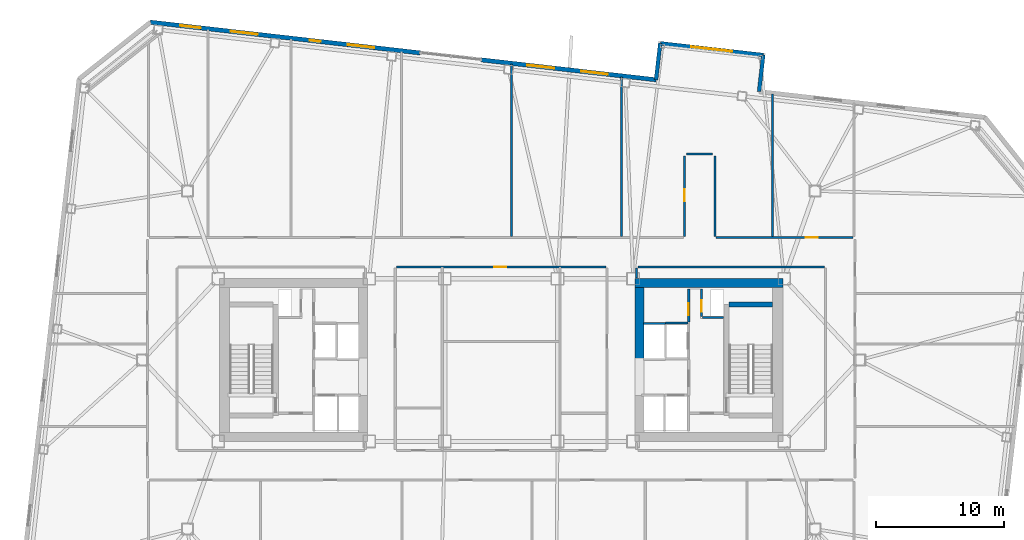
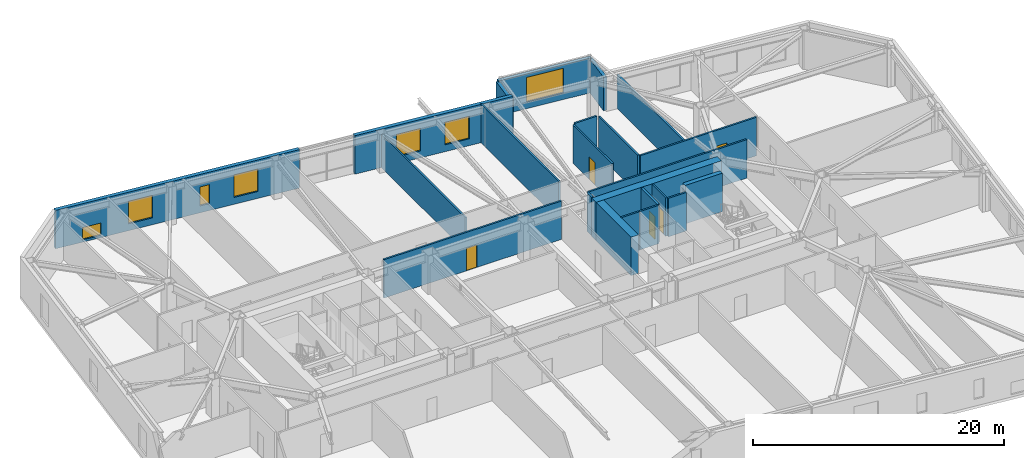
# One storey, part 15 of 21: 23 walls, 7 windows, 5 doors, 12 openings.
"""IFC4 building model written with IfcOpenShell, lengths in metres."""

from ifc_helpers import new_model, si_unit, direction, frame, frame_2d, origin, place, context, subcontext, project, spatial, rectangle, extrude, material, layer, layer_set, type_object, element, fill, save


model = new_model("IFC4")

# Units and contexts
model_context = context("Model", 3, precision=1e-05, world=origin(), true_north=direction((0.0, 1.0)))
body_context = subcontext(model_context, "Body", "Model", "MODEL_VIEW")
ifc_project = project(units=[si_unit("LENGTHUNIT", "METRE"), si_unit("AREAUNIT", "SQUARE_METRE"), si_unit("VOLUMEUNIT", "CUBIC_METRE"), si_unit("PLANEANGLEUNIT", "RADIAN"), si_unit("MASSUNIT", "GRAM", prefix="KILO")], contexts=[model_context])

# Site, building, storey
site_placement = place(None, origin())
site = spatial("IfcSite", under=ifc_project, at=site_placement, CompositionType="ELEMENT")
building_placement = place(site_placement, origin())
building = spatial("IfcBuilding", under=site, at=building_placement, Name="Tavrogorsk Clinical Tower", CompositionType="ELEMENT")
storey_placement = place(building_placement, frame((0.0, 0.0, 121.39990234375)))
storey = spatial("IfcBuildingStorey", under=building, at=storey_placement, Name="L27", CompositionType="ELEMENT", Elevation=121.39990234375)

# Wall, opening, door
ifc_material_1 = material(Name="Concrete B60", Category="concrete")
ifc_layer_1 = layer(ifc_material_1, 0.199951171875)
ifc_layer_set_1 = layer_set([ifc_layer_1], Name="Concrete B60")
wall_type_1 = type_object("IfcWallType", Name="CoreFireWall_200", PredefinedType="SOLIDWALL", material=ifc_layer_set_1)
wall_1_placement = place(storey_placement, frame((14.639892578125, 2.9599609375, 0.0), z_axis=(0.0, 0.0, 1.0), x_axis=(0.0, 1.0, 0.0)))
wall_1 = element("IfcWall", 1, at=wall_1_placement, inside=storey, type_object=wall_type_1, Name="L27 Core East North Core Room East Wall", PredefinedType="SOLIDWALL", context=body_context, shape_type="SweptSolid", body=[
    extrude(rectangle(XDim=2.60009765625, YDim=0.199951171875, at=frame_2d((1.300048828125, 0.0))), origin(), (0.0, 0.0, 1.0), 3.739990234375),
])
opening_1_placement = place(wall_1_placement, frame((0.52001953125, 0.0, 0.0)))
opening_1 = element("IfcOpeningElement", 2, at=opening_1_placement, cuts=wall_1, Name="Opening ID-02", PredefinedType="OPENING", context=body_context, shape_type="SweptSolid", body=[
    extrude(rectangle(XDim=0.949951171875, YDim=2.199951171875, at=frame_2d((0.47509765625, 1.10009765625))), frame((0.0, 0.10986328125, 0.0), z_axis=(0.0, -1.0, 0.0), x_axis=(1.0, 0.0, 0.0)), (0.0, 0.0, 1.0), 0.219970703125),
])
ifc_material_2 = material(Name="Laminated timber leaf on aluminium frame", Category="wood")
door_type_1 = type_object("IfcDoorType", Name="InteriorDoor_ID02_950", OperationType="NOTDEFINED", PredefinedType="DOOR", material=ifc_material_2)
door_1_placement = place(opening_1_placement, origin())
door_1 = element("IfcDoor", 3, at=door_1_placement, inside=storey, type_object=door_type_1, Name="L27 Core East Core Telemetry Room Door", OperationType="SINGLE_SWING_LEFT", OverallHeight=2.199951171875, OverallWidth=0.949951171875, PredefinedType="DOOR", context=body_context, shape_type="SweptSolid", body=[
    extrude(rectangle(XDim=0.949951171875, YDim=2.199951171875, at=frame_2d((0.47509765625, 1.10009765625))), frame((0.0, 0.02490234375, 0.0), z_axis=(0.0, -1.0, 0.0), x_axis=(1.0, 0.0, 0.0)), (0.0, 0.0, 1.0), 0.050048828125),
])
fill(opening_1, door_1)

ifc_material_3 = material(Name="Lightweight concrete blockwork B15", Category="masonry")
ifc_layer_2 = layer(ifc_material_3, 0.159912109375)
ifc_layer_set_2 = layer_set([ifc_layer_2], Name="Lightweight concrete blockwork B15")
wall_type_2 = type_object("IfcWallType", Name="PartitionWall_160", PredefinedType="PARTITIONING", material=ifc_layer_set_2)
wall_2_placement = place(storey_placement, frame((14.320068359375, 9.6650390625, 0.0), z_axis=(0.0, 0.0, 1.0), x_axis=(0.0, 1.0, 0.0)))
wall_2 = element("IfcWall", 4, at=wall_2_placement, inside=storey, type_object=wall_type_2, Name="L27 Corridor Partition 03", PredefinedType="PARTITIONING", context=body_context, shape_type="SweptSolid", body=[
    extrude(rectangle(XDim=6.25, YDim=0.159912109375, at=frame_2d((3.125, 0.0))), origin(), (0.0, 0.0, 1.0), 3.739990234375),
])
opening_2_placement = place(wall_2_placement, frame((2.735107421875, 0.0, 0.0)))
opening_2 = element("IfcOpeningElement", 5, at=opening_2_placement, cuts=wall_2, Name="Opening ID-02", PredefinedType="OPENING", context=body_context, shape_type="SweptSolid", body=[
    extrude(rectangle(XDim=0.949951171875, YDim=2.199951171875, at=frame_2d((0.47509765625, 1.10009765625))), frame((0.0, 0.08984375, 0.0), z_axis=(0.0, -1.0, 0.0), x_axis=(1.0, 0.0, 0.0)), (0.0, 0.0, 1.0), 0.179931640625),
])
door_2_placement = place(opening_2_placement, origin())
door_2 = element("IfcDoor", 6, at=door_2_placement, inside=storey, type_object=door_type_1, Name="L27 North Neonatal Milk Bank & Formula Store 06 Door", OperationType="SINGLE_SWING_RIGHT", OverallHeight=2.199951171875, OverallWidth=0.949951171875, PredefinedType="DOOR", context=body_context, shape_type="SweptSolid", body=[
    extrude(rectangle(XDim=0.949951171875, YDim=2.199951171875, at=frame_2d((0.47509765625, 1.10009765625))), frame((0.0, 0.02490234375, 0.0), z_axis=(0.0, -1.0, 0.0), x_axis=(1.0, 0.0, 0.0)), (0.0, 0.0, 1.0), 0.050048828125),
])
fill(opening_2, door_2)

# Walls
wall_3_placement = place(storey_placement, frame((14.485107421875, 16.080078125, 0.0), z_axis=(0.0, 0.0, 1.0), x_axis=(1.0, 0.0, 0.0)))
element("IfcWall", 7, at=wall_3_placement, inside=storey, type_object=wall_type_2, Name="L27 Corridor Partition 04", PredefinedType="PARTITIONING", context=body_context, shape_type="SweptSolid", body=[
    extrude(rectangle(XDim=2.02978515625, YDim=0.159912109375, at=frame_2d((1.014892578125, 0.0))), origin(), (0.0, 0.0, 1.0), 3.739990234375),
])
wall_4_placement = place(storey_placement, frame((16.679931640625, 15.9150390625, 0.0), z_axis=(0.0, 0.0, 1.0), x_axis=(0.0, -1.0, 0.0)))
element("IfcWall", 8, at=wall_4_placement, inside=storey, type_object=wall_type_2, Name="L27 Corridor Partition 05", PredefinedType="PARTITIONING", context=body_context, shape_type="SweptSolid", body=[
    extrude(rectangle(XDim=6.25, YDim=0.159912109375, at=frame_2d((3.125, 0.0))), origin(), (0.0, 0.0, 1.0), 3.739990234375),
])

# Wall, opening, door
wall_5_placement = place(storey_placement, frame((16.764892578125, 9.580078125, 0.0), z_axis=(0.0, 0.0, 1.0), x_axis=(1.0, 0.0, 0.0)))
wall_5 = element("IfcWall", 9, at=wall_5_placement, inside=storey, type_object=wall_type_2, Name="L27 Corridor Partition 06", PredefinedType="PARTITIONING", context=body_context, shape_type="SweptSolid", body=[
    extrude(rectangle(XDim=10.7001953125, YDim=0.159912109375, at=frame_2d((5.35009765625, 0.0))), origin(), (0.0, 0.0, 1.0), 3.739990234375),
])
opening_3_placement = place(wall_5_placement, frame((7.019287109375, 0.0, 0.0)))
opening_3 = element("IfcOpeningElement", 10, at=opening_3_placement, cuts=wall_5, Name="Opening ID-02", PredefinedType="OPENING", context=body_context, shape_type="SweptSolid", body=[
    extrude(rectangle(XDim=0.949951171875, YDim=2.199951171875, at=frame_2d((0.47509765625, 1.10009765625))), frame((0.0, 0.08984375, 0.0), z_axis=(0.0, -1.0, 0.0), x_axis=(1.0, 0.0, 0.0)), (0.0, 0.0, 1.0), 0.179931640625),
])
door_3_placement = place(opening_3_placement, origin())
door_3 = element("IfcDoor", 11, at=door_3_placement, inside=storey, type_object=door_type_1, Name="L27 North Antenatal Education Lecture Hall 07 Door", OperationType="SINGLE_SWING_LEFT", OverallHeight=2.199951171875, OverallWidth=0.949951171875, PredefinedType="DOOR", context=body_context, shape_type="SweptSolid", body=[
    extrude(rectangle(XDim=0.949951171875, YDim=2.199951171875, at=frame_2d((0.47509765625, 1.10009765625))), frame((0.0, 0.02490234375, 0.0), z_axis=(0.0, -1.0, 0.0), x_axis=(1.0, 0.0, 0.0)), (0.0, 0.0, 1.0), 0.050048828125),
])
fill(opening_3, door_3)

# Walls
wall_6_placement = place(storey_placement, frame((25.235107421875, 7.27001953125, 0.0), z_axis=(0.0, 0.0, 1.0), x_axis=(-1.0, 0.0, 0.0)))
element("IfcWall", 12, at=wall_6_placement, inside=storey, type_object=wall_type_2, Name="L27 Corridor Partition 09", PredefinedType="PARTITIONING", context=body_context, shape_type="SweptSolid", body=[
    extrude(rectangle(XDim=14.570068359375, YDim=0.159912109375, at=frame_2d((7.28515625, 0.0))), origin(), (0.0, 0.0, 1.0), 3.739990234375),
])
wall_7_placement = place(storey_placement, frame((10.580078125, 7.18505859375, 0.0), z_axis=(0.0, 0.0, 1.0), x_axis=(0.0, -1.0, 0.0)))
element("IfcWall", 13, at=wall_7_placement, inside=storey, type_object=wall_type_2, Name="L27 Corridor Partition 10", PredefinedType="PARTITIONING", context=body_context, shape_type="SweptSolid", body=[
    extrude(rectangle(XDim=0.76513671875, YDim=0.159912109375, at=frame_2d((0.382568359375, 0.0))), origin(), (0.0, 0.0, 1.0), 3.739990234375),
])

# Wall, opening, door
wall_8_placement = place(storey_placement, frame((8.18505859375, 7.27001953125, 0.0), z_axis=(0.0, 0.0, 1.0), x_axis=(-1.0, 0.0, 0.0)))
wall_8 = element("IfcWall", 14, at=wall_8_placement, inside=storey, type_object=wall_type_2, Name="L27 Corridor Partition 15", PredefinedType="PARTITIONING", context=body_context, shape_type="SweptSolid", body=[
    extrude(rectangle(XDim=16.3701171875, YDim=0.159912109375, at=frame_2d((8.18505859375, 0.0))), origin(), (0.0, 0.0, 1.0), 3.739990234375),
])
opening_4_placement = place(wall_8_placement, frame((7.794921875, 0.0, 0.0)))
opening_4 = element("IfcOpeningElement", 15, at=opening_4_placement, cuts=wall_8, Name="Opening ID-02", PredefinedType="OPENING", context=body_context, shape_type="SweptSolid", body=[
    extrude(rectangle(XDim=0.949951171875, YDim=2.199951171875, at=frame_2d((0.47509765625, 1.10009765625))), frame((0.0, 0.08984375, 0.0), z_axis=(0.0, -1.0, 0.0), x_axis=(1.0, 0.0, 0.0)), (0.0, 0.0, 1.0), 0.179931640625),
])
door_4_placement = place(opening_4_placement, origin())
door_4 = element("IfcDoor", 16, at=door_4_placement, inside=storey, type_object=door_type_1, Name="L27 Nurses' Station & Triage Hub Door", OperationType="SINGLE_SWING_RIGHT", OverallHeight=2.199951171875, OverallWidth=0.949951171875, PredefinedType="DOOR", context=body_context, shape_type="SweptSolid", body=[
    extrude(rectangle(XDim=0.949951171875, YDim=2.199951171875, at=frame_2d((0.47509765625, 1.10009765625))), frame((0.0, 0.02490234375, 0.0), z_axis=(0.0, -1.0, 0.0), x_axis=(1.0, 0.0, 0.0)), (0.0, 0.0, 1.0), 0.050048828125),
])
fill(opening_4, door_4)

# Walls
wall_9_placement = place(storey_placement, frame((0.800048828125, 9.6650390625, 0.0), z_axis=(0.0, 0.0, 1.0), x_axis=(0.0, 1.0, 0.0)))
element("IfcWall", 17, at=wall_9_placement, inside=storey, type_object=wall_type_2, Name="L27 North Room Partition 4", PredefinedType="PARTITIONING", context=body_context, shape_type="SweptSolid", body=[
    extrude(rectangle(XDim=13.436279296875, YDim=0.159912109375, at=frame_2d((6.71826171875, 0.0))), origin(), (0.0, 0.0, 1.0), 3.235107421875),
])
wall_10_placement = place(storey_placement, frame((9.39990234375, 9.6650390625, 0.0), z_axis=(0.0, 0.0, 1.0), x_axis=(0.0, 1.0, 0.0)))
element("IfcWall", 18, at=wall_10_placement, inside=storey, type_object=wall_type_2, Name="L27 North Room Partition 5", PredefinedType="PARTITIONING", context=body_context, shape_type="SweptSolid", body=[
    extrude(rectangle(XDim=12.456298828125, YDim=0.159912109375, at=frame_2d((6.22802734375, 0.0))), origin(), (0.0, 0.0, 1.0), 3.739990234375),
])
wall_11_placement = place(storey_placement, frame((21.18701171875, 9.6650390625, 0.0), z_axis=(0.0, 0.0, 1.0), x_axis=(0.0, 1.0, 0.0)))
element("IfcWall", 19, at=wall_11_placement, inside=storey, type_object=wall_type_2, Name="L27 North Room Partition 6", PredefinedType="PARTITIONING", context=body_context, shape_type="SweptSolid", body=[
    extrude(rectangle(XDim=11.11328125, YDim=0.159912109375, at=frame_2d((5.556640625, 0.0))), origin(), (0.0, 0.0, 1.0), 3.28515625),
])

# Wall, openings, windows
ifc_material_4 = material(Name="Precast concrete B45 with limestone cladding", Category="masonry")
ifc_layer_3 = layer(ifc_material_4, 0.340087890625)
ifc_layer_set_3 = layer_set([ifc_layer_3], Name="Precast concrete B45 with limestone cladding")
wall_type_3 = type_object("IfcWallType", Name="PrecastLimestoneWall_340", PredefinedType="STANDARD", material=ifc_layer_set_3)
wall_12_placement = place(storey_placement, frame((12.093505859375, 21.885009765625, 0.0), z_axis=(0.0, 0.0, 1.0), x_axis=(-0.993571881197, 0.113202989776, 0.0)))
wall_12 = element("IfcWall", 20, at=wall_12_placement, inside=storey, type_object=wall_type_3, Name="L27 N Limestone Facade Wall 2", PredefinedType="STANDARD", context=body_context, shape_type="SweptSolid", body=[
    extrude(rectangle(XDim=13.72705078125, YDim=0.340087890625, at=frame_2d((6.863525390625, 0.0))), origin(), (0.0, 0.0, 1.0), 3.739990234375),
])
opening_5_placement = place(wall_12_placement, frame((8.0107421875, 0.0, 0.669921875)))
opening_5 = element("IfcOpeningElement", 21, at=opening_5_placement, cuts=wall_12, Name="Opening WN-03", PredefinedType="OPENING", context=body_context, shape_type="SweptSolid", body=[
    extrude(rectangle(XDim=2.10009765625, YDim=2.199951171875, at=frame_2d((1.050048828125, 1.10009765625))), frame((0.0, 0.179931640625, 0.0), z_axis=(0.0, -1.0, 0.0), x_axis=(1.0, 0.0, 0.0)), (0.0, 0.0, 1.0), 0.360107421875),
])
opening_6_placement = place(wall_12_placement, frame((3.789306640625, 0.0, 0.669921875)))
opening_6 = element("IfcOpeningElement", 22, at=opening_6_placement, cuts=wall_12, Name="Opening WN-03", PredefinedType="OPENING", context=body_context, shape_type="SweptSolid", body=[
    extrude(rectangle(XDim=2.10009765625, YDim=2.199951171875, at=frame_2d((1.050048828125, 1.10009765625))), frame((0.0, 0.179931640625, 0.0), z_axis=(0.0, -1.0, 0.0), x_axis=(1.0, 0.0, 0.0)), (0.0, 0.0, 1.0), 0.360107421875),
])
ifc_material_5 = material(Name="Thermally broken aluminium frame and triple IGU", Category="aluminium")
window_type_1 = type_object("IfcWindowType", Name="PatientTwinWin_2100x2200", PartitioningType="DOUBLE_PANEL_VERTICAL", PredefinedType="WINDOW", material=ifc_material_5)
window_1_placement = place(opening_5_placement, origin())
window_1 = element("IfcWindow", 23, at=window_1_placement, inside=storey, type_object=window_type_1, Name="L27 N Chicago Window 05", OverallHeight=2.199951171875, OverallWidth=2.10009765625, PartitioningType="SINGLE_PANEL", PredefinedType="WINDOW", context=body_context, shape_type="SweptSolid", body=[
    extrude(rectangle(XDim=2.10009765625, YDim=2.199951171875, at=frame_2d((1.050048828125, 1.10009765625))), frame((0.0, 0.030029296875, 0.0), z_axis=(0.0, -1.0, 0.0), x_axis=(1.0, 0.0, 0.0)), (0.0, 0.0, 1.0), 0.06005859375),
])
fill(opening_5, window_1)
window_2_placement = place(opening_6_placement, origin())
window_2 = element("IfcWindow", 24, at=window_2_placement, inside=storey, type_object=window_type_1, Name="L27 N Chicago Window 06", OverallHeight=2.199951171875, OverallWidth=2.10009765625, PartitioningType="SINGLE_PANEL", PredefinedType="WINDOW", context=body_context, shape_type="SweptSolid", body=[
    extrude(rectangle(XDim=2.10009765625, YDim=2.199951171875, at=frame_2d((1.050048828125, 1.10009765625))), frame((0.0, 0.030029296875, 0.0), z_axis=(0.0, -1.0, 0.0), x_axis=(1.0, 0.0, 0.0)), (0.0, 0.0, 1.0), 0.06005859375),
])
fill(opening_6, window_2)

wall_13_placement = place(storey_placement, frame((-6.314453125, 23.982177734375, 0.0), z_axis=(0.0, 0.0, 1.0), x_axis=(-0.993571362037, 0.113207546299, 0.0)))
wall_13 = element("IfcWall", 25, at=wall_13_placement, inside=storey, type_object=wall_type_3, Name="L27 N Limestone Facade Wall 3", PredefinedType="STANDARD", context=body_context, shape_type="SweptSolid", body=[
    extrude(rectangle(XDim=21.222900390625, YDim=0.340087890625, at=frame_2d((10.611328125, 0.0))), origin(), (0.0, 0.0, 1.0), 3.739990234375),
])
opening_7_placement = place(wall_13_placement, frame((17.264892578125, 0.0, 0.219970703125)))
opening_7 = element("IfcOpeningElement", 26, at=opening_7_placement, cuts=wall_13, Name="Opening WN-09", PredefinedType="OPENING", context=body_context, shape_type="SweptSolid", body=[
    extrude(rectangle(XDim=1.60009765625, YDim=1.199951171875, at=frame_2d((0.800048828125, 0.60009765625))), frame((0.0, 0.179931640625, 0.0), z_axis=(0.0, -1.0, 0.0), x_axis=(1.0, 0.0, 0.0)), (0.0, 0.0, 1.0), 0.360107421875),
])
opening_8_placement = place(wall_13_placement, frame((12.793701171875, 0.0, 0.669921875)))
opening_8 = element("IfcOpeningElement", 27, at=opening_8_placement, cuts=wall_13, Name="Opening WN-03", PredefinedType="OPENING", context=body_context, shape_type="SweptSolid", body=[
    extrude(rectangle(XDim=2.10009765625, YDim=2.199951171875, at=frame_2d((1.050048828125, 1.10009765625))), frame((0.0, 0.179931640625, 0.0), z_axis=(0.0, -1.0, 0.0), x_axis=(1.0, 0.0, 0.0)), (0.0, 0.0, 1.0), 0.360107421875),
])
opening_9_placement = place(wall_13_placement, frame((7.837890625, 0.0, 0.669921875)))
opening_9 = element("IfcOpeningElement", 28, at=opening_9_placement, cuts=wall_13, Name="Opening WN-06", PredefinedType="OPENING", context=body_context, shape_type="SweptSolid", body=[
    extrude(rectangle(XDim=0.85009765625, YDim=1.85009765625, at=frame_2d((0.425048828125, 0.925048828125))), frame((0.0, 0.179931640625, 0.0), z_axis=(0.0, -1.0, 0.0), x_axis=(1.0, 0.0, 0.0)), (0.0, 0.0, 1.0), 0.360107421875),
])
opening_10_placement = place(wall_13_placement, frame((3.616455078125, 0.0, 0.669921875)))
opening_10 = element("IfcOpeningElement", 29, at=opening_10_placement, cuts=wall_13, Name="Opening WN-03", PredefinedType="OPENING", context=body_context, shape_type="SweptSolid", body=[
    extrude(rectangle(XDim=2.10009765625, YDim=2.199951171875, at=frame_2d((1.050048828125, 1.10009765625))), frame((0.0, 0.179931640625, 0.0), z_axis=(0.0, -1.0, 0.0), x_axis=(1.0, 0.0, 0.0)), (0.0, 0.0, 1.0), 0.360107421875),
])
ifc_material_6 = material(Name="Thermally broken aluminium frame and triple IGU", Category="aluminium")
window_type_2 = type_object("IfcWindowType", Name="LowHeadTransWin_1600x1200", PartitioningType="DOUBLE_PANEL_VERTICAL", PredefinedType="WINDOW", material=ifc_material_6)
window_3_placement = place(opening_7_placement, origin())
window_3 = element("IfcWindow", 30, at=window_3_placement, inside=storey, type_object=window_type_2, Name="L27 N Chicago Window 01", OverallHeight=1.199951171875, OverallWidth=1.60009765625, PartitioningType="SINGLE_PANEL", PredefinedType="WINDOW", context=body_context, shape_type="SweptSolid", body=[
    extrude(rectangle(XDim=1.60009765625, YDim=1.199951171875, at=frame_2d((0.800048828125, 0.60009765625))), frame((0.0, 0.030029296875, 0.0), z_axis=(0.0, -1.0, 0.0), x_axis=(1.0, 0.0, 0.0)), (0.0, 0.0, 1.0), 0.06005859375),
])
fill(opening_7, window_3)
ifc_material_7 = material(Name="Thermally broken aluminium frame and triple IGU", Category="aluminium")
window_type_3 = type_object("IfcWindowType", Name="MullionSubWin_850x1850", PartitioningType="SINGLE_PANEL", PredefinedType="WINDOW", material=ifc_material_7)
window_4_placement = place(opening_9_placement, origin())
window_4 = element("IfcWindow", 31, at=window_4_placement, inside=storey, type_object=window_type_3, Name="L27 N Mullion Split Window 03A", OverallHeight=1.85009765625, OverallWidth=0.85009765625, PartitioningType="SINGLE_PANEL", PredefinedType="WINDOW", context=body_context, shape_type="SweptSolid", body=[
    extrude(rectangle(XDim=0.85009765625, YDim=1.85009765625, at=frame_2d((0.425048828125, 0.925048828125))), frame((0.0, 0.030029296875, 0.0), z_axis=(0.0, -1.0, 0.0), x_axis=(1.0, 0.0, 0.0)), (0.0, 0.0, 1.0), 0.06005859375),
])
fill(opening_9, window_4)
window_5_placement = place(opening_8_placement, origin())
window_5 = element("IfcWindow", 32, at=window_5_placement, inside=storey, type_object=window_type_1, Name="L27 N Chicago Window 02", OverallHeight=2.199951171875, OverallWidth=2.10009765625, PartitioningType="SINGLE_PANEL", PredefinedType="WINDOW", context=body_context, shape_type="SweptSolid", body=[
    extrude(rectangle(XDim=2.10009765625, YDim=2.199951171875, at=frame_2d((1.050048828125, 1.10009765625))), frame((0.0, 0.030029296875, 0.0), z_axis=(0.0, -1.0, 0.0), x_axis=(1.0, 0.0, 0.0)), (0.0, 0.0, 1.0), 0.06005859375),
])
fill(opening_8, window_5)
window_6_placement = place(opening_10_placement, origin())
window_6 = element("IfcWindow", 33, at=window_6_placement, inside=storey, type_object=window_type_1, Name="L27 N Chicago Window 04", OverallHeight=2.199951171875, OverallWidth=2.10009765625, PartitioningType="SINGLE_PANEL", PredefinedType="WINDOW", context=body_context, shape_type="SweptSolid", body=[
    extrude(rectangle(XDim=2.10009765625, YDim=2.199951171875, at=frame_2d((1.050048828125, 1.10009765625))), frame((0.0, 0.030029296875, 0.0), z_axis=(0.0, -1.0, 0.0), x_axis=(1.0, 0.0, 0.0)), (0.0, 0.0, 1.0), 0.06005859375),
])
fill(opening_10, window_6)

# Wall, opening, window
wall_14_placement = place(storey_placement, frame((12.41845703125, 24.736572265625, 0.0), z_axis=(0.0, 0.0, 1.0), x_axis=(0.993571087422, -0.113209956448, 0.0)))
wall_14 = element("IfcWall", 34, at=wall_14_placement, inside=storey, type_object=wall_type_3, Name="L27 Day-Room Limestone Front DRB-04", PredefinedType="STANDARD", context=body_context, shape_type="SweptSolid", body=[
    extrude(rectangle(XDim=8.099853515625, YDim=0.300048828125, at=frame_2d((4.0498046875, 0.0))), origin(), (0.0, 0.0, 1.0), 3.385009765625),
])
opening_11_placement = place(wall_14_placement, frame((2.449951171875, 0.0, 0.64990234375)))
opening_11 = element("IfcOpeningElement", 35, at=opening_11_placement, cuts=wall_14, Name="Opening WN-01", PredefinedType="OPENING", context=body_context, shape_type="SweptSolid", body=[
    extrude(rectangle(XDim=3.199951171875, YDim=2.39990234375, at=frame_2d((1.60009765625, 1.199951171875))), frame((0.0, 0.159912109375, 0.0), z_axis=(0.0, -1.0, 0.0), x_axis=(1.0, 0.0, 0.0)), (0.0, 0.0, 1.0), 0.320068359375),
])
ifc_material_8 = material(Name="Thermally broken aluminium frame and triple IGU", Category="aluminium")
window_type_4 = type_object("IfcWindowType", Name="ChicagoBayWin_3200x2400", PartitioningType="TRIPLE_PANEL_HORIZONTAL", PredefinedType="WINDOW", material=ifc_material_8)
window_7_placement = place(opening_11_placement, origin())
window_7 = element("IfcWindow", 36, at=window_7_placement, inside=storey, type_object=window_type_4, Name="L27 Day-Room Front Bay Window DRB-04", OverallHeight=2.39990234375, OverallWidth=3.199951171875, PartitioningType="SINGLE_PANEL", PredefinedType="WINDOW", context=body_context, shape_type="SweptSolid", body=[
    extrude(rectangle(XDim=3.199951171875, YDim=2.39990234375, at=frame_2d((1.60009765625, 1.199951171875))), frame((0.0, 0.030029296875, 0.0), z_axis=(0.0, -1.0, 0.0), x_axis=(1.0, 0.0, 0.0)), (0.0, 0.0, 1.0), 0.06005859375),
])
fill(opening_11, window_7)

# Walls
ifc_material_9 = material(Name="Lightweight concrete blockwork B25", Category="masonry")
ifc_layer_4 = layer(ifc_material_9, 0.159912109375)
ifc_layer_set_4 = layer_set([ifc_layer_4], Name="Lightweight concrete blockwork B25")
wall_type_4 = type_object("IfcWallType", Name="ShaftWall_160", PredefinedType="PARTITIONING", material=ifc_layer_set_4)
wall_15_placement = place(storey_placement, frame((12.840087890625, 2.8798828125, 0.0), z_axis=(0.0, 0.0, 1.0), x_axis=(1.0, 0.0, 0.0)))
element("IfcWall", 37, at=wall_15_placement, inside=storey, type_object=wall_type_4, Name="L27 FFL-E Shaft North Wall", PredefinedType="PARTITIONING", context=body_context, shape_type="SweptSolid", body=[
    extrude(rectangle(XDim=1.760009765625, YDim=0.159912109375, at=frame_2d((0.8798828125, 0.0))), origin(), (0.0, 0.0, 1.0), 3.739990234375),
])
wall_16_placement = place(storey_placement, frame((11.10009765625, 2.860107421875, 0.0), z_axis=(0.0, 0.0, 1.0), x_axis=(1.0, 0.0, 0.0)))
element("IfcWall", 38, at=wall_16_placement, inside=storey, type_object=wall_type_4, Name="L27 LP-H2 High-Zone Lift Rear Wall", PredefinedType="PARTITIONING", context=body_context, shape_type="SweptSolid", body=[
    extrude(rectangle(XDim=1.719970703125, YDim=0.159912109375, at=frame_2d((0.85986328125, 0.0))), origin(), (0.0, 0.0, 1.0), 3.739990234375),
])

# Wall, opening, door
wall_17_placement = place(storey_placement, frame((15.639892578125, 3.405029296875, 0.0), z_axis=(0.0, 0.0, 1.0), x_axis=(0.0, 1.0, 0.0)))
wall_17 = element("IfcWall", 39, at=wall_17_placement, inside=storey, type_object=wall_type_4, Name="L27 Core East Riser West Wall", PredefinedType="PARTITIONING", context=body_context, shape_type="SweptSolid", body=[
    extrude(rectangle(XDim=2.155029296875, YDim=0.159912109375, at=frame_2d((1.07763671875, 0.0))), origin(), (0.0, 0.0, 1.0), 3.739990234375),
])
opening_12_placement = place(wall_17_placement, frame((0.35009765625, 0.0, 0.0)))
opening_12 = element("IfcOpeningElement", 40, at=opening_12_placement, cuts=wall_17, Name="Opening FD-02", PredefinedType="OPENING", context=body_context, shape_type="SweptSolid", body=[
    extrude(rectangle(XDim=0.89990234375, YDim=2.199951171875, at=frame_2d((0.449951171875, 1.10009765625))), frame((0.0, 0.08984375, 0.0), z_axis=(0.0, -1.0, 0.0), x_axis=(1.0, 0.0, 0.0)), (0.0, 0.0, 1.0), 0.179931640625),
])
ifc_material_10 = material(Name="Galvanised steel fire-rated door assembly", Category="steel")
door_type_2 = type_object("IfcDoorType", Name="FireDoor_FD02_900", OperationType="NOTDEFINED", PredefinedType="DOOR", material=ifc_material_10)
door_5_placement = place(opening_12_placement, origin())
door_5 = element("IfcDoor", 41, at=door_5_placement, inside=storey, type_object=door_type_2, Name="L27 Core East Electrical Riser Access Door", OperationType="SINGLE_SWING_LEFT", OverallHeight=2.199951171875, OverallWidth=0.89990234375, PredefinedType="DOOR", context=body_context, shape_type="SweptSolid", body=[
    extrude(rectangle(XDim=0.89990234375, YDim=2.199951171875, at=frame_2d((0.449951171875, 1.10009765625))), frame((0.0, 0.02490234375, 0.0), z_axis=(0.0, -1.0, 0.0), x_axis=(1.0, 0.0, 0.0)), (0.0, 0.0, 1.0), 0.050048828125),
])
fill(opening_12, door_5)

# Walls
wall_18_placement = place(storey_placement, frame((15.72509765625, 3.320068359375, 0.0), z_axis=(0.0, 0.0, 1.0), x_axis=(1.0, 0.0, 0.0)))
element("IfcWall", 42, at=wall_18_placement, inside=storey, type_object=wall_type_4, Name="L27 Core East Riser South Wall", PredefinedType="PARTITIONING", context=body_context, shape_type="SweptSolid", body=[
    extrude(rectangle(XDim=1.65478515625, YDim=0.159912109375, at=frame_2d((0.827392578125, 0.0))), origin(), (0.0, 0.0, 1.0), 3.739990234375),
])
ifc_material_11 = material(Name="Concrete B80", Category="concrete")
ifc_layer_5 = layer(ifc_material_11, 0.39990234375)
ifc_layer_set_5 = layer_set([ifc_layer_5], Name="Concrete B80")
wall_type_5 = type_object("IfcWallType", Name="ShearWall_400", PredefinedType="SHEAR", material=ifc_layer_set_5)
wall_19_placement = place(storey_placement, frame((17.800048828125, 4.324951171875, 0.0), z_axis=(0.0, 0.0, 1.0), x_axis=(1.0, 0.0, 0.0)))
element("IfcWall", 43, at=wall_19_placement, inside=storey, type_object=wall_type_5, Name="L27 Core East Stair Shaft North Shear Wall", PredefinedType="SHEAR", context=body_context, shape_type="SweptSolid", body=[
    extrude(rectangle(XDim=3.39990234375, YDim=0.39990234375, at=frame_2d((1.699951171875, 0.0))), origin(), (0.0, 0.0, 1.0), 3.739990234375),
])
ifc_material_12 = material(Name="Concrete B80", Category="concrete")
ifc_layer_6 = layer(ifc_material_12, 0.699951171875)
ifc_layer_set_6 = layer_set([ifc_layer_6], Name="Concrete B80")
wall_type_6 = type_object("IfcWallType", Name="ShearWall_700", PredefinedType="SHEAR", material=ifc_layer_set_6)
wall_20_placement = place(storey_placement, frame((10.449951171875, 6.0, 0.0), z_axis=(0.0, 0.0, 1.0), x_axis=(1.0, 0.0, 0.0)))
element("IfcWall", 44, at=wall_20_placement, inside=storey, type_object=wall_type_6, Name="L27 Core East North Shear Wall", PredefinedType="SHEAR", context=body_context, shape_type="SweptSolid", body=[
    extrude(rectangle(XDim=11.550048828125, YDim=0.699951171875, at=frame_2d((5.77490234375, 0.0))), origin(), (0.0, 0.0, 1.0), 3.739990234375),
])
wall_21_placement = place(storey_placement, frame((10.800048828125, 0.050048828125, 0.0), z_axis=(0.0, 0.0, 1.0), x_axis=(0.0, 1.0, 0.0)))
element("IfcWall", 45, at=wall_21_placement, inside=storey, type_object=wall_type_6, Name="L27 Core East Inner North Pier", PredefinedType="SHEAR", context=body_context, shape_type="SweptSolid", body=[
    extrude(rectangle(XDim=5.599853515625, YDim=0.699951171875, at=frame_2d((2.7998046875, 0.0))), origin(), (0.0, 0.0, 1.0), 3.739990234375),
])
ifc_material_13 = material(Name="Precast concrete B45 with mineral wool", Category="concrete")
ifc_layer_7 = layer(ifc_material_13, 0.300048828125)
ifc_layer_set_7 = layer_set([ifc_layer_7], Name="Precast concrete B45 with mineral wool")
wall_type_7 = type_object("IfcWallType", Name="SpandrelBackWall_300", PredefinedType="STANDARD", material=ifc_layer_set_7)
for number, where, z_axis, x_axis, name in (
    (46, (12.093505859375, 21.885009765625, 0.0), (0.0, 0.0, 1.0), (0.113222704107, 0.993569634839, 0.0), "L27 Day-Room Cheek Wall DRB-04-L"),
    (47, (20.141357421875, 20.968017578125, 0.0), (0.0, 0.0, 1.0), (0.113222704107, 0.993569634839, 0.0), "L27 Day-Room Cheek Wall DRB-04-R"),
):
    element("IfcWall", number, at=place(storey_placement, frame(where, z_axis=z_axis, x_axis=x_axis)), inside=storey, type_object=wall_type_7, Name=name, PredefinedType="STANDARD", context=body_context, shape_type="SweptSolid", body=[
        extrude(rectangle(XDim=2.8701171875, YDim=0.300048828125, at=frame_2d((1.43505859375, 0.0))), origin(), (0.0, 0.0, 1.0), 3.28515625),
    ])

save(model, "model.ifc")
